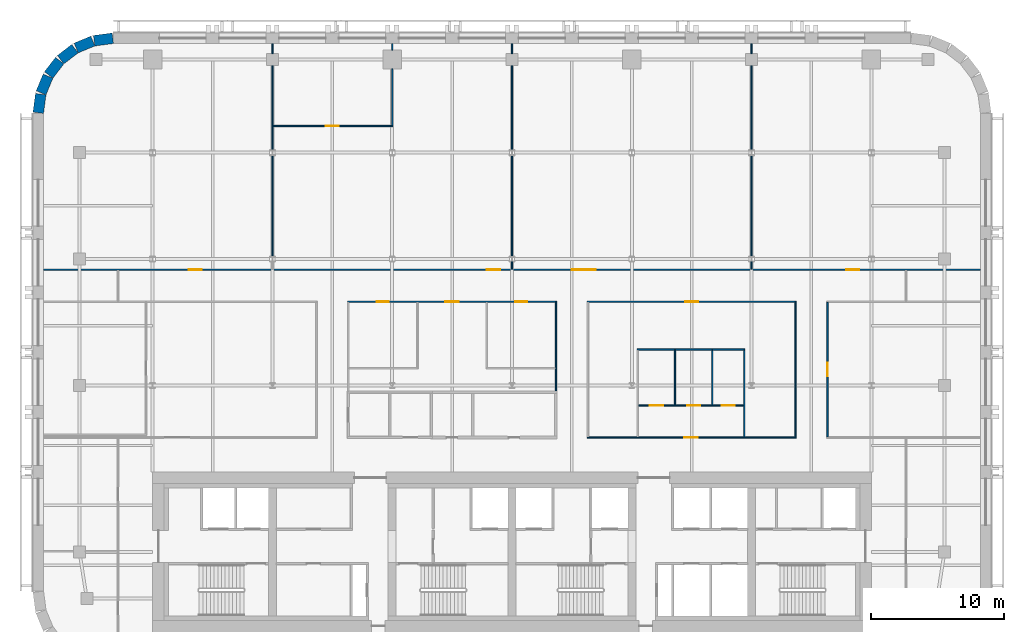
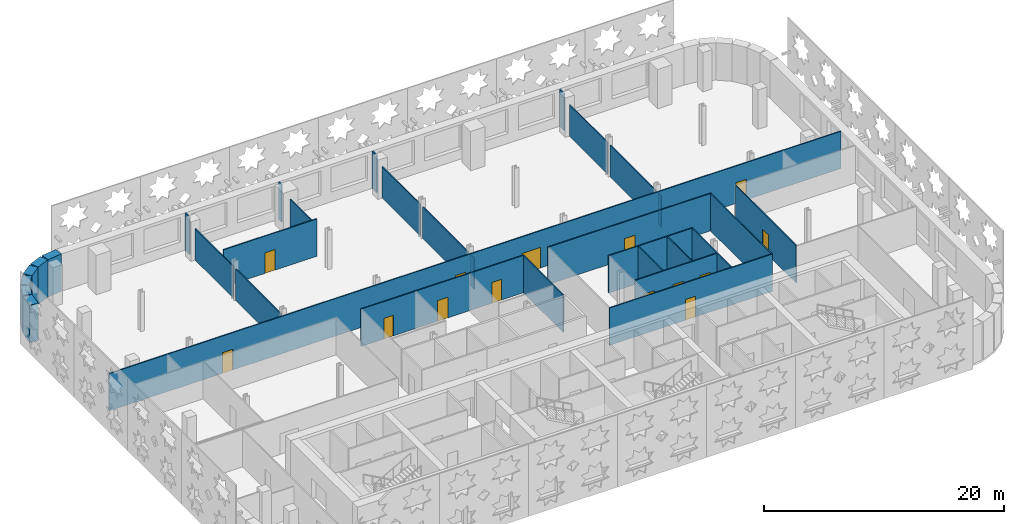
# One storey, part 6 of 12: 32 walls, 14 doors, 14 openings.
"""IFC4 building model written with IfcOpenShell, lengths in metres."""

from ifc_helpers import new_model, si_unit, direction, frame, frame_2d, origin, place, context, subcontext, project, spatial, rectangle, extrude, material, layer, layer_set, type_object, element, fill, save


model = new_model("IFC4")

# Units and contexts
model_context = context("Model", 3, precision=1e-05, world=origin(), true_north=direction((0.0, 1.0)))
body_context = subcontext(model_context, "Body", "Model", "MODEL_VIEW")
ifc_project = project(units=[si_unit("LENGTHUNIT", "METRE"), si_unit("AREAUNIT", "SQUARE_METRE"), si_unit("VOLUMEUNIT", "CUBIC_METRE"), si_unit("PLANEANGLEUNIT", "RADIAN"), si_unit("MASSUNIT", "GRAM", prefix="KILO")], contexts=[model_context])

# Site, building, storey
site_placement = place(None, origin())
site = spatial("IfcSite", under=ifc_project, at=site_placement, CompositionType="ELEMENT")
building_placement = place(site_placement, origin())
building = spatial("IfcBuilding", under=site, at=building_placement, Name="Zellij Exchange Tower", CompositionType="ELEMENT")
storey_placement = place(building_placement, frame((0.0, 0.0, 204.5)))
storey = spatial("IfcBuildingStorey", under=building, at=storey_placement, Name="L47", CompositionType="ELEMENT", Elevation=204.5)

# Walls
ifc_material_1 = material(Name="Precast concrete C40/50", Category="concrete")
ifc_layer_1 = layer(ifc_material_1, 0.800048828125)
ifc_layer_set_1 = layer_set([ifc_layer_1], Name="Precast concrete C40/50")
wall_type_1 = type_object("IfcWallType", Name="ENV-EW1 Precast stone-piered wall 800", PredefinedType="SOLIDWALL", material=ifc_layer_set_1)
wall_1_placement = place(storey_placement, frame((-29.999755859375, 30.5966796875, 0.0), z_axis=(0.0, 0.0, 1.0), x_axis=(-0.99144603414, -0.130517283865, 0.0)))
element("IfcWall", 1, at=wall_1_placement, inside=storey, type_object=wall_type_1, Name="fac.L47.15", PredefinedType="SOLIDWALL", context=body_context, shape_type="SweptSolid", body=[
    extrude(rectangle(XDim=1.408447265625, YDim=0.800048828125, at=frame_2d((0.7041015625, 0.0))), origin(), (0.0, 0.0, 1.0), 3.800048828125),
])
wall_2_placement = place(storey_placement, frame((-31.497314453125, 30.3857421875, 0.0), z_axis=(0.0, 0.0, 1.0), x_axis=(-0.923847774587, -0.38276009378, 0.0)))
element("IfcWall", 2, at=wall_2_placement, inside=storey, type_object=wall_type_1, Name="fac.L47.16", PredefinedType="SOLIDWALL", context=body_context, shape_type="SweptSolid", body=[
    extrude(rectangle(XDim=1.35546875, YDim=0.800048828125, at=frame_2d((0.677734375, 0.0))), origin(), (0.0, 0.0, 1.0), 3.800048828125),
])
for number, where, z_axis, x_axis, name in (
    (3, (-32.840087890625, 29.814697265625, 0.0), (0.0, 0.0, 1.0), (-0.793272915452, -0.608866226366, 0.0), "fac.L47.17"),
    (4, (-33.9892578125, 28.91552734375, 0.0), (0.0, 0.0, 1.0), (-0.608866226366, -0.793272915452, 0.0), "fac.L47.18"),
):
    element("IfcWall", number, at=place(storey_placement, frame(where, z_axis=z_axis, x_axis=x_axis)), inside=storey, type_object=wall_type_1, Name=name, PredefinedType="SOLIDWALL", context=body_context, shape_type="SweptSolid", body=[
        extrude(rectangle(XDim=1.355712890625, YDim=0.800048828125, at=frame_2d((0.677734375, 0.0))), origin(), (0.0, 0.0, 1.0), 3.800048828125),
    ])
wall_3_placement = place(storey_placement, frame((-34.866943359375, 27.74951171875, 0.0), z_axis=(0.0, 0.0, 1.0), x_axis=(-0.38276009378, -0.923847774587, 0.0)))
element("IfcWall", 5, at=wall_3_placement, inside=storey, type_object=wall_type_1, Name="fac.L47.19", PredefinedType="SOLIDWALL", context=body_context, shape_type="SweptSolid", body=[
    extrude(rectangle(XDim=1.35546875, YDim=0.800048828125, at=frame_2d((0.677734375, 0.0))), origin(), (0.0, 0.0, 1.0), 3.800048828125),
])
wall_4_placement = place(storey_placement, frame((-35.412841796875, 26.396240234375, 0.0), z_axis=(0.0, 0.0, 1.0), x_axis=(-0.130517283865, -0.99144603414, 0.0)))
element("IfcWall", 6, at=wall_4_placement, inside=storey, type_object=wall_type_1, Name="fac.L47.20", PredefinedType="SOLIDWALL", context=body_context, shape_type="SweptSolid", body=[
    extrude(rectangle(XDim=1.408447265625, YDim=0.800048828125, at=frame_2d((0.7041015625, 0.0))), origin(), (0.0, 0.0, 1.0), 3.800048828125),
])

# Wall, opening, door
ifc_material_2 = material(Name="Gypsum board partition on steel studs", Category="steel")
ifc_layer_2 = layer(ifc_material_2, 0.10009765625)
ifc_layer_set_2 = layer_set([ifc_layer_2], Name="Gypsum board partition on steel studs")
wall_type_2 = type_object("IfcWallType", Name="FIT-PARTITION-100", PredefinedType="PARTITIONING", material=ifc_layer_set_2)
wall_5_placement = place(storey_placement, frame((5.64990234375, 0.60009765625, 0.0), z_axis=(0.0, 0.0, 1.0), x_axis=(1.0, 0.0, 0.0)))
wall_5 = element("IfcWall", 7, at=wall_5_placement, inside=storey, type_object=wall_type_2, Name="FIT-PARTITION-100 014", PredefinedType="PARTITIONING", context=body_context, shape_type="SweptSolid", body=[
    extrude(rectangle(XDim=15.7001953125, YDim=0.10009765625, at=frame_2d((7.85009765625, 0.0))), origin(), (0.0, 0.0, 1.0), 3.800048828125),
])
opening_1_placement = place(wall_5_placement, frame((7.300048828125, 0.0, 0.0)))
opening_1 = element("IfcOpeningElement", 8, at=opening_1_placement, cuts=wall_5, Name="Opening O3E.08", PredefinedType="OPENING", context=body_context, shape_type="SweptSolid", body=[
    extrude(rectangle(XDim=1.0, YDim=2.10009765625, at=frame_2d((0.5, 1.050048828125))), frame((0.0, 0.06201171875, 0.0), z_axis=(0.0, -1.0, 0.0), x_axis=(1.0, 0.0, 0.0)), (0.0, 0.0, 1.0), 0.1240234375),
])
ifc_material_3 = material(Name="Timber door set", Category="wood")
door_type_1 = type_object("IfcDoorType", Name="FIT-D2-WIDE-1000X2100", OperationType="SINGLE_SWING_LEFT", PredefinedType="DOOR", material=ifc_material_3)
door_1_placement = place(opening_1_placement, origin())
door_1 = element("IfcDoor", 9, at=door_1_placement, inside=storey, type_object=door_type_1, Name="Door O3E.08", OperationType="SINGLE_SWING_RIGHT", OverallHeight=2.10009765625, OverallWidth=1.0, PredefinedType="DOOR", context=body_context, shape_type="SweptSolid", body=[
    extrude(rectangle(XDim=1.0, YDim=2.10009765625, at=frame_2d((0.5, 1.050048828125))), frame((0.0, 0.02490234375, 0.0), z_axis=(0.0, -1.0, 0.0), x_axis=(1.0, 0.0, 0.0)), (0.0, 0.0, 1.0), 0.050048828125),
])
fill(opening_1, door_1)

# Walls
wall_6_placement = place(storey_placement, frame((17.449951171875, 0.64990234375, 0.0), z_axis=(0.0, 0.0, 1.0), x_axis=(0.0, 1.0, 0.0)))
element("IfcWall", 10, at=wall_6_placement, inside=storey, type_object=wall_type_2, Name="FIT-PARTITION-100 017", PredefinedType="PARTITIONING", context=body_context, shape_type="SweptSolid", body=[
    extrude(rectangle(XDim=6.5, YDim=0.10009765625, at=frame_2d((3.25, 0.0))), origin(), (0.0, 0.0, 1.0), 3.800048828125),
])
wall_7_placement = place(storey_placement, frame((21.300048828125, 0.64990234375, 0.0), z_axis=(0.0, 0.0, 1.0), x_axis=(0.0, 1.0, 0.0)))
element("IfcWall", 11, at=wall_7_placement, inside=storey, type_object=wall_type_2, Name="FIT-PARTITION-100 018", PredefinedType="PARTITIONING", context=body_context, shape_type="SweptSolid", body=[
    extrude(rectangle(XDim=10.10009765625, YDim=0.10009765625, at=frame_2d((5.050048828125, 0.0))), origin(), (0.0, 0.0, 1.0), 3.800048828125),
])

# Wall, opening, door
wall_8_placement = place(storey_placement, frame((23.699951171875, 0.64990234375, 0.0), z_axis=(0.0, 0.0, 1.0), x_axis=(0.0, 1.0, 0.0)))
wall_8 = element("IfcWall", 12, at=wall_8_placement, inside=storey, type_object=wall_type_2, Name="FIT-PARTITION-100 020", PredefinedType="PARTITIONING", context=body_context, shape_type="SweptSolid", body=[
    extrude(rectangle(XDim=10.10009765625, YDim=0.10009765625, at=frame_2d((5.050048828125, 0.0))), origin(), (0.0, 0.0, 1.0), 3.800048828125),
])
opening_2_placement = place(wall_8_placement, frame((4.550048828125, 0.0, 0.0)))
opening_2 = element("IfcOpeningElement", 13, at=opening_2_placement, cuts=wall_8, Name="Opening O3E.13", PredefinedType="OPENING", context=body_context, shape_type="SweptSolid", body=[
    extrude(rectangle(XDim=1.0, YDim=2.10009765625, at=frame_2d((0.5, 1.050048828125))), frame((0.0, 0.06201171875, 0.0), z_axis=(0.0, -1.0, 0.0), x_axis=(1.0, 0.0, 0.0)), (0.0, 0.0, 1.0), 0.1240234375),
])
door_2_placement = place(opening_2_placement, origin())
door_2 = element("IfcDoor", 14, at=door_2_placement, inside=storey, type_object=door_type_1, Name="Door O3E.13", OperationType="SINGLE_SWING_LEFT", OverallHeight=2.10009765625, OverallWidth=1.0, PredefinedType="DOOR", context=body_context, shape_type="SweptSolid", body=[
    extrude(rectangle(XDim=1.0, YDim=2.10009765625, at=frame_2d((0.5, 1.050048828125))), frame((0.0, 0.02490234375, 0.0), z_axis=(0.0, -1.0, 0.0), x_axis=(1.0, 0.0, 0.0)), (0.0, 0.0, 1.0), 0.050048828125),
])
fill(opening_2, door_2)

# Wall, openings, doors
wall_9_placement = place(storey_placement, frame((9.5, 3.0, 0.0), z_axis=(0.0, 0.0, 1.0), x_axis=(1.0, 0.0, 0.0)))
wall_9 = element("IfcWall", 15, at=wall_9_placement, inside=storey, type_object=wall_type_2, Name="FIT-PARTITION-100 023", PredefinedType="PARTITIONING", context=body_context, shape_type="SweptSolid", body=[
    extrude(rectangle(XDim=7.89990234375, YDim=0.10009765625, at=frame_2d((3.949951171875, 0.0))), origin(), (0.0, 0.0, 1.0), 3.800048828125),
])
opening_3_placement = place(wall_9_placement, frame((0.85009765625, 0.0, 0.0)))
opening_3 = element("IfcOpeningElement", 16, at=opening_3_placement, cuts=wall_9, Name="Opening O3E.10", PredefinedType="OPENING", context=body_context, shape_type="SweptSolid", body=[
    extrude(rectangle(XDim=1.0, YDim=2.10009765625, at=frame_2d((0.5, 1.050048828125))), frame((0.0, 0.06201171875, 0.0), z_axis=(0.0, -1.0, 0.0), x_axis=(1.0, 0.0, 0.0)), (0.0, 0.0, 1.0), 0.1240234375),
])
opening_4_placement = place(wall_9_placement, frame((3.64990234375, 0.0, 0.0)))
opening_4 = element("IfcOpeningElement", 17, at=opening_4_placement, cuts=wall_9, Name="Opening O3E.11", PredefinedType="OPENING", context=body_context, shape_type="SweptSolid", body=[
    extrude(rectangle(XDim=1.0, YDim=2.10009765625, at=frame_2d((0.5, 1.050048828125))), frame((0.0, 0.06201171875, 0.0), z_axis=(0.0, -1.0, 0.0), x_axis=(1.0, 0.0, 0.0)), (0.0, 0.0, 1.0), 0.1240234375),
])
opening_5_placement = place(wall_9_placement, frame((6.25, 0.0, 0.0)))
opening_5 = element("IfcOpeningElement", 18, at=opening_5_placement, cuts=wall_9, Name="Opening O3E.12", PredefinedType="OPENING", context=body_context, shape_type="SweptSolid", body=[
    extrude(rectangle(XDim=1.0, YDim=2.10009765625, at=frame_2d((0.5, 1.050048828125))), frame((0.0, 0.06201171875, 0.0), z_axis=(0.0, -1.0, 0.0), x_axis=(1.0, 0.0, 0.0)), (0.0, 0.0, 1.0), 0.1240234375),
])
door_3_placement = place(opening_3_placement, origin())
door_3 = element("IfcDoor", 19, at=door_3_placement, inside=storey, type_object=door_type_1, Name="Door O3E.10", OperationType="SINGLE_SWING_RIGHT", OverallHeight=2.10009765625, OverallWidth=1.0, PredefinedType="DOOR", context=body_context, shape_type="SweptSolid", body=[
    extrude(rectangle(XDim=1.0, YDim=2.10009765625, at=frame_2d((0.5, 1.050048828125))), frame((0.0, 0.02490234375, 0.0), z_axis=(0.0, -1.0, 0.0), x_axis=(1.0, 0.0, 0.0)), (0.0, 0.0, 1.0), 0.050048828125),
])
fill(opening_3, door_3)
door_4_placement = place(opening_4_placement, origin())
door_4 = element("IfcDoor", 20, at=door_4_placement, inside=storey, type_object=door_type_1, Name="Door O3E.11", OperationType="SINGLE_SWING_RIGHT", OverallHeight=2.10009765625, OverallWidth=1.0, PredefinedType="DOOR", context=body_context, shape_type="SweptSolid", body=[
    extrude(rectangle(XDim=1.0, YDim=2.10009765625, at=frame_2d((0.5, 1.050048828125))), frame((0.0, 0.02490234375, 0.0), z_axis=(0.0, -1.0, 0.0), x_axis=(1.0, 0.0, 0.0)), (0.0, 0.0, 1.0), 0.050048828125),
])
fill(opening_4, door_4)
door_5_placement = place(opening_5_placement, origin())
door_5 = element("IfcDoor", 21, at=door_5_placement, inside=storey, type_object=door_type_1, Name="Door O3E.12", OperationType="SINGLE_SWING_RIGHT", OverallHeight=2.10009765625, OverallWidth=1.0, PredefinedType="DOOR", context=body_context, shape_type="SweptSolid", body=[
    extrude(rectangle(XDim=1.0, YDim=2.10009765625, at=frame_2d((0.5, 1.050048828125))), frame((0.0, 0.02490234375, 0.0), z_axis=(0.0, -1.0, 0.0), x_axis=(1.0, 0.0, 0.0)), (0.0, 0.0, 1.0), 0.050048828125),
])
fill(opening_5, door_5)

# Walls
for number, where, z_axis, x_axis, name in (
    (22, (12.25, 3.050048828125, 0.0), (0.0, 0.0, 1.0), (0.0, 1.0, 0.0), "FIT-PARTITION-100 024"),
    (23, (15.050048828125, 3.050048828125, 0.0), (0.0, 0.0, 1.0), (0.0, 1.0, 0.0), "FIT-PARTITION-100 025"),
):
    element("IfcWall", number, at=place(storey_placement, frame(where, z_axis=z_axis, x_axis=x_axis)), inside=storey, type_object=wall_type_2, Name=name, PredefinedType="PARTITIONING", context=body_context, shape_type="SweptSolid", body=[
        extrude(rectangle(XDim=4.099853515625, YDim=0.10009765625, at=frame_2d((2.0498046875, 0.0))), origin(), (0.0, 0.0, 1.0), 3.800048828125),
    ])
wall_10_placement = place(storey_placement, frame((3.300048828125, 4.10009765625, 0.0), z_axis=(0.0, 0.0, 1.0), x_axis=(0.0, 1.0, 0.0)))
element("IfcWall", 24, at=wall_10_placement, inside=storey, type_object=wall_type_2, Name="FIT-PARTITION-100 029", PredefinedType="PARTITIONING", context=body_context, shape_type="SweptSolid", body=[
    extrude(rectangle(XDim=6.64990234375, YDim=0.10009765625, at=frame_2d((3.324951171875, 0.0))), origin(), (0.0, 0.0, 1.0), 3.800048828125),
])
wall_11_placement = place(storey_placement, frame((9.39990234375, 7.199951171875, 0.0), z_axis=(0.0, 0.0, 1.0), x_axis=(1.0, 0.0, 0.0)))
element("IfcWall", 25, at=wall_11_placement, inside=storey, type_object=wall_type_2, Name="FIT-PARTITION-100 034", PredefinedType="PARTITIONING", context=body_context, shape_type="SweptSolid", body=[
    extrude(rectangle(XDim=8.10009765625, YDim=0.10009765625, at=frame_2d((4.050048828125, 0.0))), origin(), (0.0, 0.0, 1.0), 3.800048828125),
])

# Wall, openings, doors
wall_12_placement = place(storey_placement, frame((-12.35009765625, 10.800048828125, 0.0), z_axis=(0.0, 0.0, 1.0), x_axis=(1.0, 0.0, 0.0)))
wall_12 = element("IfcWall", 26, at=wall_12_placement, inside=storey, type_object=wall_type_2, Name="FIT-PARTITION-100 037", PredefinedType="PARTITIONING", context=body_context, shape_type="SweptSolid", body=[
    extrude(rectangle(XDim=15.7001953125, YDim=0.10009765625, at=frame_2d((7.85009765625, 0.0))), origin(), (0.0, 0.0, 1.0), 3.800048828125),
])
opening_6_placement = place(wall_12_placement, frame((2.199951171875, 0.0, 0.0)))
opening_6 = element("IfcOpeningElement", 27, at=opening_6_placement, cuts=wall_12, Name="Opening O3E.15", PredefinedType="OPENING", context=body_context, shape_type="SweptSolid", body=[
    extrude(rectangle(XDim=0.89990234375, YDim=2.10009765625, at=frame_2d((0.449951171875, 1.050048828125))), frame((0.0, 0.06201171875, 0.0), z_axis=(0.0, -1.0, 0.0), x_axis=(1.0, 0.0, 0.0)), (0.0, 0.0, 1.0), 0.1240234375),
])
opening_7_placement = place(wall_12_placement, frame((7.35009765625, 0.0, 0.0)))
opening_7 = element("IfcOpeningElement", 28, at=opening_7_placement, cuts=wall_12, Name="Opening O3E.16", PredefinedType="OPENING", context=body_context, shape_type="SweptSolid", body=[
    extrude(rectangle(XDim=1.0, YDim=2.10009765625, at=frame_2d((0.5, 1.050048828125))), frame((0.0, 0.06201171875, 0.0), z_axis=(0.0, -1.0, 0.0), x_axis=(1.0, 0.0, 0.0)), (0.0, 0.0, 1.0), 0.1240234375),
])
opening_8_placement = place(wall_12_placement, frame((12.60009765625, 0.0, 0.0)))
opening_8 = element("IfcOpeningElement", 29, at=opening_8_placement, cuts=wall_12, Name="Opening O3E.17", PredefinedType="OPENING", context=body_context, shape_type="SweptSolid", body=[
    extrude(rectangle(XDim=0.89990234375, YDim=2.10009765625, at=frame_2d((0.449951171875, 1.050048828125))), frame((0.0, 0.06201171875, 0.0), z_axis=(0.0, -1.0, 0.0), x_axis=(1.0, 0.0, 0.0)), (0.0, 0.0, 1.0), 0.1240234375),
])
door_type_2 = type_object("IfcDoorType", Name="FIT-D1-ROOM-900X2100", OperationType="SINGLE_SWING_LEFT", PredefinedType="DOOR", material=ifc_material_3)
door_6_placement = place(opening_6_placement, origin())
door_6 = element("IfcDoor", 30, at=door_6_placement, inside=storey, type_object=door_type_2, Name="Door O3E.15", OperationType="SINGLE_SWING_RIGHT", OverallHeight=2.10009765625, OverallWidth=0.89990234375, PredefinedType="DOOR", context=body_context, shape_type="SweptSolid", body=[
    extrude(rectangle(XDim=0.89990234375, YDim=2.10009765625, at=frame_2d((0.449951171875, 1.050048828125))), frame((0.0, 0.02490234375, 0.0), z_axis=(0.0, -1.0, 0.0), x_axis=(1.0, 0.0, 0.0)), (0.0, 0.0, 1.0), 0.050048828125),
])
fill(opening_6, door_6)
door_7_placement = place(opening_8_placement, origin())
door_7 = element("IfcDoor", 31, at=door_7_placement, inside=storey, type_object=door_type_2, Name="Door O3E.17", OperationType="SINGLE_SWING_LEFT", OverallHeight=2.10009765625, OverallWidth=0.89990234375, PredefinedType="DOOR", context=body_context, shape_type="SweptSolid", body=[
    extrude(rectangle(XDim=0.89990234375, YDim=2.10009765625, at=frame_2d((0.449951171875, 1.050048828125))), frame((0.0, 0.02490234375, 0.0), z_axis=(0.0, -1.0, 0.0), x_axis=(1.0, 0.0, 0.0)), (0.0, 0.0, 1.0), 0.050048828125),
])
fill(opening_8, door_7)
door_8_placement = place(opening_7_placement, origin())
door_8 = element("IfcDoor", 32, at=door_8_placement, inside=storey, type_object=door_type_1, Name="Door O3E.16", OperationType="SINGLE_SWING_LEFT", OverallHeight=2.10009765625, OverallWidth=1.0, PredefinedType="DOOR", context=body_context, shape_type="SweptSolid", body=[
    extrude(rectangle(XDim=1.0, YDim=2.10009765625, at=frame_2d((0.5, 1.050048828125))), frame((0.0, 0.02490234375, 0.0), z_axis=(0.0, -1.0, 0.0), x_axis=(1.0, 0.0, 0.0)), (0.0, 0.0, 1.0), 0.050048828125),
])
fill(opening_7, door_8)

# Wall, opening, door
wall_13_placement = place(storey_placement, frame((5.64990234375, 10.800048828125, 0.0), z_axis=(0.0, 0.0, 1.0), x_axis=(1.0, 0.0, 0.0)))
wall_13 = element("IfcWall", 33, at=wall_13_placement, inside=storey, type_object=wall_type_2, Name="FIT-PARTITION-100 038", PredefinedType="PARTITIONING", context=body_context, shape_type="SweptSolid", body=[
    extrude(rectangle(XDim=15.7001953125, YDim=0.10009765625, at=frame_2d((7.85009765625, 0.0))), origin(), (0.0, 0.0, 1.0), 3.800048828125),
])
opening_9_placement = place(wall_13_placement, frame((7.35009765625, 0.0, 0.0)))
opening_9 = element("IfcOpeningElement", 34, at=opening_9_placement, cuts=wall_13, Name="Opening O3E.18", PredefinedType="OPENING", context=body_context, shape_type="SweptSolid", body=[
    extrude(rectangle(XDim=1.0, YDim=2.10009765625, at=frame_2d((0.5, 1.050048828125))), frame((0.0, 0.06201171875, 0.0), z_axis=(0.0, -1.0, 0.0), x_axis=(1.0, 0.0, 0.0)), (0.0, 0.0, 1.0), 0.1240234375),
])
door_9_placement = place(opening_9_placement, origin())
door_9 = element("IfcDoor", 35, at=door_9_placement, inside=storey, type_object=door_type_1, Name="Door O3E.18", OperationType="SINGLE_SWING_LEFT", OverallHeight=2.10009765625, OverallWidth=1.0, PredefinedType="DOOR", context=body_context, shape_type="SweptSolid", body=[
    extrude(rectangle(XDim=1.0, YDim=2.10009765625, at=frame_2d((0.5, 1.050048828125))), frame((0.0, 0.02490234375, 0.0), z_axis=(0.0, -1.0, 0.0), x_axis=(1.0, 0.0, 0.0)), (0.0, 0.0, 1.0), 0.050048828125),
])
fill(opening_9, door_9)

# Wall, openings, doors
wall_14_placement = place(storey_placement, frame((-35.199951171875, 13.199951171875, 0.0), z_axis=(0.0, 0.0, 1.0), x_axis=(1.0, 0.0, 0.0)))
wall_14 = element("IfcWall", 36, at=wall_14_placement, inside=storey, type_object=wall_type_2, Name="FIT-PARTITION-100 041", PredefinedType="PARTITIONING", context=body_context, shape_type="SweptSolid", body=[
    extrude(rectangle(XDim=70.39990234375, YDim=0.10009765625, at=frame_2d((35.199951171875, 0.0))), origin(), (0.0, 0.0, 1.0), 3.800048828125),
])
opening_10_placement = place(wall_14_placement, frame((10.89990234375, 0.0, 0.0)))
opening_10 = element("IfcOpeningElement", 37, at=opening_10_placement, cuts=wall_14, Name="Opening O3E.19", PredefinedType="OPENING", context=body_context, shape_type="SweptSolid", body=[
    extrude(rectangle(XDim=1.0, YDim=2.10009765625, at=frame_2d((0.5, 1.050048828125))), frame((0.0, 0.06201171875, 0.0), z_axis=(0.0, -1.0, 0.0), x_axis=(1.0, 0.0, 0.0)), (0.0, 0.0, 1.0), 0.1240234375),
])
opening_11_placement = place(wall_14_placement, frame((33.300048828125, 0.0, 0.0)))
opening_11 = element("IfcOpeningElement", 38, at=opening_11_placement, cuts=wall_14, Name="Opening O3E.20", PredefinedType="OPENING", context=body_context, shape_type="SweptSolid", body=[
    extrude(rectangle(XDim=1.0, YDim=2.10009765625, at=frame_2d((0.5, 1.050048828125))), frame((0.0, 0.06201171875, 0.0), z_axis=(0.0, -1.0, 0.0), x_axis=(1.0, 0.0, 0.0)), (0.0, 0.0, 1.0), 0.1240234375),
])
opening_12_placement = place(wall_14_placement, frame((39.699951171875, 0.0, 0.0)))
opening_12 = element("IfcOpeningElement", 39, at=opening_12_placement, cuts=wall_14, Name="Opening O3E.21", PredefinedType="OPENING", context=body_context, shape_type="SweptSolid", body=[
    extrude(rectangle(XDim=1.800048828125, YDim=2.10009765625, at=frame_2d((0.89990234375, 1.050048828125))), frame((0.0, 0.06201171875, 0.0), z_axis=(0.0, -1.0, 0.0), x_axis=(1.0, 0.0, 0.0)), (0.0, 0.0, 1.0), 0.1240234375),
])
opening_13_placement = place(wall_14_placement, frame((60.300048828125, 0.0, 0.0)))
opening_13 = element("IfcOpeningElement", 40, at=opening_13_placement, cuts=wall_14, Name="Opening O3E.22", PredefinedType="OPENING", context=body_context, shape_type="SweptSolid", body=[
    extrude(rectangle(XDim=1.0, YDim=2.10009765625, at=frame_2d((0.5, 1.050048828125))), frame((0.0, 0.06201171875, 0.0), z_axis=(0.0, -1.0, 0.0), x_axis=(1.0, 0.0, 0.0)), (0.0, 0.0, 1.0), 0.1240234375),
])
door_10_placement = place(opening_10_placement, origin())
door_10 = element("IfcDoor", 41, at=door_10_placement, inside=storey, type_object=door_type_1, Name="Door O3E.19", OperationType="SINGLE_SWING_RIGHT", OverallHeight=2.10009765625, OverallWidth=1.0, PredefinedType="DOOR", context=body_context, shape_type="SweptSolid", body=[
    extrude(rectangle(XDim=1.0, YDim=2.10009765625, at=frame_2d((0.5, 1.050048828125))), frame((0.0, 0.02490234375, 0.0), z_axis=(0.0, -1.0, 0.0), x_axis=(1.0, 0.0, 0.0)), (0.0, 0.0, 1.0), 0.050048828125),
])
fill(opening_10, door_10)
door_11_placement = place(opening_11_placement, origin())
door_11 = element("IfcDoor", 42, at=door_11_placement, inside=storey, type_object=door_type_1, Name="Door O3E.20", OperationType="SINGLE_SWING_LEFT", OverallHeight=2.10009765625, OverallWidth=1.0, PredefinedType="DOOR", context=body_context, shape_type="SweptSolid", body=[
    extrude(rectangle(XDim=1.0, YDim=2.10009765625, at=frame_2d((0.5, 1.050048828125))), frame((0.0, 0.02490234375, 0.0), z_axis=(0.0, -1.0, 0.0), x_axis=(1.0, 0.0, 0.0)), (0.0, 0.0, 1.0), 0.050048828125),
])
fill(opening_11, door_11)
door_12_placement = place(opening_13_placement, origin())
door_12 = element("IfcDoor", 43, at=door_12_placement, inside=storey, type_object=door_type_1, Name="Door O3E.22", OperationType="SINGLE_SWING_LEFT", OverallHeight=2.10009765625, OverallWidth=1.0, PredefinedType="DOOR", context=body_context, shape_type="SweptSolid", body=[
    extrude(rectangle(XDim=1.0, YDim=2.10009765625, at=frame_2d((0.5, 1.050048828125))), frame((0.0, 0.02490234375, 0.0), z_axis=(0.0, -1.0, 0.0), x_axis=(1.0, 0.0, 0.0)), (0.0, 0.0, 1.0), 0.050048828125),
])
fill(opening_13, door_12)
door_type_3 = type_object("IfcDoorType", Name="FIT-D3-DOUBLE-1800X2100", OperationType="DOUBLE_DOOR_SINGLE_SWING", PredefinedType="DOOR", material=ifc_material_3)
door_13_placement = place(opening_12_placement, origin())
door_13 = element("IfcDoor", 44, at=door_13_placement, inside=storey, type_object=door_type_3, Name="Door O3E.21", OperationType="DOUBLE_DOOR_SINGLE_SWING", OverallHeight=2.10009765625, OverallWidth=1.800048828125, PredefinedType="DOOR", context=body_context, shape_type="SweptSolid", body=[
    extrude(rectangle(XDim=1.800048828125, YDim=2.10009765625, at=frame_2d((0.89990234375, 1.050048828125))), frame((0.0, 0.02490234375, 0.0), z_axis=(0.0, -1.0, 0.0), x_axis=(1.0, 0.0, 0.0)), (0.0, 0.0, 1.0), 0.050048828125),
])
fill(opening_12, door_13)

# Walls
wall_15_placement = place(storey_placement, frame((-18.0, 14.212158203125, 0.0), z_axis=(0.0, 0.0, 1.0), x_axis=(0.0, 1.0, 0.0)))
element("IfcWall", 45, at=wall_15_placement, inside=storey, type_object=wall_type_2, Name="FIT-PARTITION-100 043", PredefinedType="PARTITIONING", context=body_context, shape_type="SweptSolid", body=[
    extrude(rectangle(XDim=7.57568359375, YDim=0.10009765625, at=frame_2d((3.787841796875, 0.0))), origin(), (0.0, 0.0, 1.0), 3.19287109375),
])
wall_16_placement = place(storey_placement, frame((-18.0, 22.212158203125, 0.0), z_axis=(0.0, 0.0, 1.0), x_axis=(0.0, 1.0, 0.0)))
element("IfcWall", 46, at=wall_16_placement, inside=storey, type_object=wall_type_2, Name="FIT-PARTITION-100 044", PredefinedType="PARTITIONING", context=body_context, shape_type="SweptSolid", body=[
    extrude(rectangle(XDim=6.337890625, YDim=0.10009765625, at=frame_2d((3.1689453125, 0.0))), origin(), (0.0, 0.0, 1.0), 3.19287109375),
])
wall_17_placement = place(storey_placement, frame((-18.0, 29.449951171875, 0.0), z_axis=(0.0, 0.0, 1.0), x_axis=(0.0, 1.0, 0.0)))
element("IfcWall", 47, at=wall_17_placement, inside=storey, type_object=wall_type_2, Name="FIT-PARTITION-100 045", PredefinedType="PARTITIONING", context=body_context, shape_type="SweptSolid", body=[
    extrude(rectangle(XDim=0.75, YDim=0.10009765625, at=frame_2d((0.375, 0.0))), origin(), (0.0, 0.0, 1.0), 3.800048828125),
])
wall_18_placement = place(storey_placement, frame((0.0, 13.25, 0.0), z_axis=(0.0, 0.0, 1.0), x_axis=(0.0, 1.0, 0.0)))
element("IfcWall", 48, at=wall_18_placement, inside=storey, type_object=wall_type_2, Name="FIT-PARTITION-100 046", PredefinedType="PARTITIONING", context=body_context, shape_type="SweptSolid", body=[
    extrude(rectangle(XDim=0.537841796875, YDim=0.10009765625, at=frame_2d((0.26904296875, 0.0))), origin(), (0.0, 0.0, 1.0), 3.19287109375),
])
wall_19_placement = place(storey_placement, frame((0.0, 14.212158203125, 0.0), z_axis=(0.0, 0.0, 1.0), x_axis=(0.0, 1.0, 0.0)))
element("IfcWall", 49, at=wall_19_placement, inside=storey, type_object=wall_type_2, Name="FIT-PARTITION-100 047", PredefinedType="PARTITIONING", context=body_context, shape_type="SweptSolid", body=[
    extrude(rectangle(XDim=7.57568359375, YDim=0.10009765625, at=frame_2d((3.787841796875, 0.0))), origin(), (0.0, 0.0, 1.0), 3.19287109375),
])
wall_20_placement = place(storey_placement, frame((0.0, 22.212158203125, 0.0), z_axis=(0.0, 0.0, 1.0), x_axis=(0.0, 1.0, 0.0)))
element("IfcWall", 50, at=wall_20_placement, inside=storey, type_object=wall_type_2, Name="FIT-PARTITION-100 048", PredefinedType="PARTITIONING", context=body_context, shape_type="SweptSolid", body=[
    extrude(rectangle(XDim=6.337890625, YDim=0.10009765625, at=frame_2d((3.1689453125, 0.0))), origin(), (0.0, 0.0, 1.0), 3.19287109375),
])
wall_21_placement = place(storey_placement, frame((0.0, 29.449951171875, 0.0), z_axis=(0.0, 0.0, 1.0), x_axis=(0.0, 1.0, 0.0)))
element("IfcWall", 51, at=wall_21_placement, inside=storey, type_object=wall_type_2, Name="FIT-PARTITION-100 049", PredefinedType="PARTITIONING", context=body_context, shape_type="SweptSolid", body=[
    extrude(rectangle(XDim=0.75, YDim=0.10009765625, at=frame_2d((0.375, 0.0))), origin(), (0.0, 0.0, 1.0), 3.800048828125),
])
wall_22_placement = place(storey_placement, frame((18.0, 13.25, 0.0), z_axis=(0.0, 0.0, 1.0), x_axis=(0.0, 1.0, 0.0)))
element("IfcWall", 52, at=wall_22_placement, inside=storey, type_object=wall_type_2, Name="FIT-PARTITION-100 050", PredefinedType="PARTITIONING", context=body_context, shape_type="SweptSolid", body=[
    extrude(rectangle(XDim=0.537841796875, YDim=0.10009765625, at=frame_2d((0.26904296875, 0.0))), origin(), (0.0, 0.0, 1.0), 3.19287109375),
])
wall_23_placement = place(storey_placement, frame((18.0, 14.212158203125, 0.0), z_axis=(0.0, 0.0, 1.0), x_axis=(0.0, 1.0, 0.0)))
element("IfcWall", 53, at=wall_23_placement, inside=storey, type_object=wall_type_2, Name="FIT-PARTITION-100 051", PredefinedType="PARTITIONING", context=body_context, shape_type="SweptSolid", body=[
    extrude(rectangle(XDim=7.57568359375, YDim=0.10009765625, at=frame_2d((3.787841796875, 0.0))), origin(), (0.0, 0.0, 1.0), 3.19287109375),
])
wall_24_placement = place(storey_placement, frame((18.0, 22.212158203125, 0.0), z_axis=(0.0, 0.0, 1.0), x_axis=(0.0, 1.0, 0.0)))
element("IfcWall", 54, at=wall_24_placement, inside=storey, type_object=wall_type_2, Name="FIT-PARTITION-100 052", PredefinedType="PARTITIONING", context=body_context, shape_type="SweptSolid", body=[
    extrude(rectangle(XDim=6.337890625, YDim=0.10009765625, at=frame_2d((3.1689453125, 0.0))), origin(), (0.0, 0.0, 1.0), 3.19287109375),
])
wall_25_placement = place(storey_placement, frame((18.0, 29.449951171875, 0.0), z_axis=(0.0, 0.0, 1.0), x_axis=(0.0, 1.0, 0.0)))
element("IfcWall", 55, at=wall_25_placement, inside=storey, type_object=wall_type_2, Name="FIT-PARTITION-100 053", PredefinedType="PARTITIONING", context=body_context, shape_type="SweptSolid", body=[
    extrude(rectangle(XDim=0.75, YDim=0.10009765625, at=frame_2d((0.375, 0.0))), origin(), (0.0, 0.0, 1.0), 3.800048828125),
])

# Wall, opening, door
wall_26_placement = place(storey_placement, frame((-17.949951171875, 24.0, 0.0), z_axis=(0.0, 0.0, 1.0), x_axis=(1.0, 0.0, 0.0)))
wall_26 = element("IfcWall", 56, at=wall_26_placement, inside=storey, type_object=wall_type_2, Name="FIT-PARTITION-100 054", PredefinedType="PARTITIONING", context=body_context, shape_type="SweptSolid", body=[
    extrude(rectangle(XDim=9.0, YDim=0.10009765625, at=frame_2d((4.5, 0.0))), origin(), (0.0, 0.0, 1.0), 3.800048828125),
])
opening_14_placement = place(wall_26_placement, frame((3.949951171875, 0.0, 0.0)))
opening_14 = element("IfcOpeningElement", 57, at=opening_14_placement, cuts=wall_26, Name="Opening O3E.23", PredefinedType="OPENING", context=body_context, shape_type="SweptSolid", body=[
    extrude(rectangle(XDim=1.0, YDim=2.10009765625, at=frame_2d((0.5, 1.050048828125))), frame((0.0, 0.06201171875, 0.0), z_axis=(0.0, -1.0, 0.0), x_axis=(1.0, 0.0, 0.0)), (0.0, 0.0, 1.0), 0.1240234375),
])
door_14_placement = place(opening_14_placement, origin())
door_14 = element("IfcDoor", 58, at=door_14_placement, inside=storey, type_object=door_type_1, Name="Door O3E.23", OperationType="SINGLE_SWING_RIGHT", OverallHeight=2.10009765625, OverallWidth=1.0, PredefinedType="DOOR", context=body_context, shape_type="SweptSolid", body=[
    extrude(rectangle(XDim=1.0, YDim=2.10009765625, at=frame_2d((0.5, 1.050048828125))), frame((0.0, 0.02490234375, 0.0), z_axis=(0.0, -1.0, 0.0), x_axis=(1.0, 0.0, 0.0)), (0.0, 0.0, 1.0), 0.050048828125),
])
fill(opening_14, door_14)

# Walls
wall_27_placement = place(storey_placement, frame((-9.0, 24.050048828125, 0.0), z_axis=(0.0, 0.0, 1.0), x_axis=(0.0, 1.0, 0.0)))
element("IfcWall", 59, at=wall_27_placement, inside=storey, type_object=wall_type_2, Name="FIT-PARTITION-100 055", PredefinedType="PARTITIONING", context=body_context, shape_type="SweptSolid", body=[
    extrude(rectangle(XDim=4.25, YDim=0.10009765625, at=frame_2d((2.125, 0.0))), origin(), (0.0, 0.0, 1.0), 3.19287109375),
])
wall_28_placement = place(storey_placement, frame((-9.0, 29.699951171875, 0.0), z_axis=(0.0, 0.0, 1.0), x_axis=(0.0, 1.0, 0.0)))
element("IfcWall", 60, at=wall_28_placement, inside=storey, type_object=wall_type_2, Name="FIT-PARTITION-100 056", PredefinedType="PARTITIONING", context=body_context, shape_type="SweptSolid", body=[
    extrude(rectangle(XDim=0.5, YDim=0.10009765625, at=frame_2d((0.25, 0.0))), origin(), (0.0, 0.0, 1.0), 3.800048828125),
])

save(model, "model.ifc")
